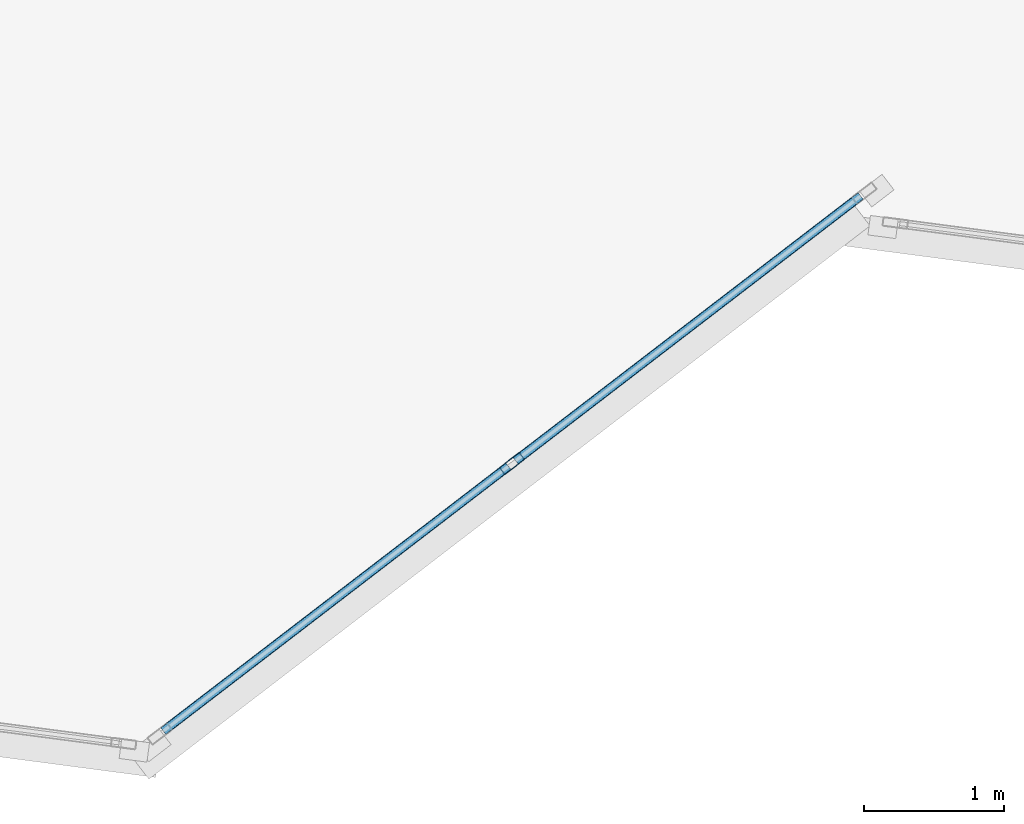
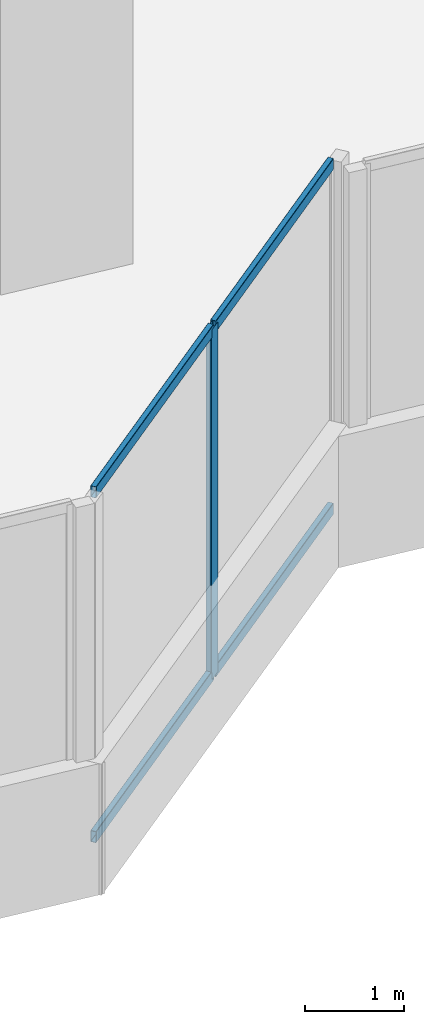
# One storey, part 6 of 24: 5 members, 1 element without a shape of its own.
"""IFC4 building model written with IfcOpenShell, lengths in metres."""

from ifc_helpers import new_model, si_unit, direction, frame, origin, origin_2d, place, context, subcontext, project, spatial, hollow_rectangle, extrude, source, transform, mapped, material, material_profile, profile_set, type_object, element, aggregate, save


model = new_model("IFC4")

# Units and contexts
model_context = context("Model", 3, precision=1e-05, world=origin(), true_north=direction((0.0, 1.0)))
body_context = subcontext(model_context, "Body", "Model", "MODEL_VIEW")
ifc_project = project(units=[si_unit("LENGTHUNIT", "METRE"), si_unit("AREAUNIT", "SQUARE_METRE"), si_unit("VOLUMEUNIT", "CUBIC_METRE"), si_unit("PLANEANGLEUNIT", "RADIAN"), si_unit("MASSUNIT", "GRAM", prefix="KILO")], contexts=[model_context])

# Site, building, storey
site_placement = place(None, origin())
site = spatial("IfcSite", under=ifc_project, at=site_placement, CompositionType="ELEMENT")
building_placement = place(site_placement, origin())
building = spatial("IfcBuilding", under=site, at=building_placement, Name="Torre Montelarca", CompositionType="ELEMENT")
storey_placement = place(building_placement, frame((0.0, 0.0, 61.60009765625)))
storey = spatial("IfcBuildingStorey", under=building, at=storey_placement, Name="L13", CompositionType="ELEMENT", Elevation=61.60009765625)

# Curtain wall, members
ifc_material_1 = material(Name="Insulated low-E laminated glass", Category="glass")
curtain_wall_type = type_object("IfcCurtainWallType", Name="CW-SYS-Z1", PredefinedType="USERDEFINED", material=ifc_material_1)
curtain_wall_placement = place(storey_placement, origin())
curtain_wall = element("IfcCurtainWall", 1, at=curtain_wall_placement, inside=storey, type_object=curtain_wall_type, Name="L13 Curtain Wall Run CW-T3-L13-E02-B1", ObjectType="UNITISED GLAZING", PredefinedType="USERDEFINED")
ifc_material_2 = material(Name="Anodised aluminium AA 6063-T6", Category="aluminium")
ifc_material_profile_1 = material_profile(ifc_material_2, hollow_rectangle(XDim=0.06494140625, YDim=0.139892578125, WallThickness=0.00390625, InnerFilletRadius=0.00390625, OuterFilletRadius=0.008056640625, at=origin_2d()), Name="ALU65X140X4", Category="aluminium")
ifc_profile_set_1 = profile_set([ifc_material_profile_1], Name="Anodised aluminium AA 6063-T6")
member_type_1 = type_object("IfcMemberType", Name="CWT-ALU140", PredefinedType="USERDEFINED", material=ifc_profile_set_1)
shared_shape_1 = source(origin(), body_context, "Body", "SweptSolid", [
    extrude(hollow_rectangle(XDim=0.06494140625, YDim=0.139892578125, WallThickness=0.00390625, InnerFilletRadius=0.00390625, OuterFilletRadius=0.008056640625, at=origin_2d()), origin(), (0.0, 0.0, 1.0), 3.102294921875),
])
member_1_placement = place(storey_placement, frame((32.548095703125, 14.704833984375, 0.032470703125), z_axis=(0.793331423579, 0.608789990359, 0.0), x_axis=(-0.608789990359, 0.793331423579, 0.0)))
member_1 = element("IfcMember", 2, at=member_1_placement, type_object=member_type_1, Name="CW transom 2.1", ObjectType="TRANSOM", PredefinedType="USERDEFINED", context=body_context, shape_type="MappedRepresentation", body=[
    mapped(shared_shape_1, transform((0.0, 0.0, 0.0), scale=1.0)),
])
member_2_placement = place(storey_placement, frame((32.548095703125, 14.704833984375, 4.287353515625), z_axis=(0.793331423579, 0.608789990359, 0.0), x_axis=(-0.608789990359, 0.793331423579, 0.0)))
member_2 = element("IfcMember", 3, at=member_2_placement, type_object=member_type_1, Name="CW transom 2.2", ObjectType="TRANSOM", PredefinedType="USERDEFINED", context=body_context, shape_type="MappedRepresentation", body=[
    mapped(shared_shape_1, transform((0.0, 0.0, 0.0), scale=1.0)),
])
ifc_material_profile_2 = material_profile(ifc_material_2, hollow_rectangle(XDim=0.06494140625, YDim=0.179931640625, WallThickness=0.00390625, InnerFilletRadius=0.00390625, OuterFilletRadius=0.008056640625, at=origin_2d()), Name="ALU65X180X4", Category="aluminium")
ifc_profile_set_2 = profile_set([ifc_material_profile_2], Name="Anodised aluminium AA 6063-T6")
member_type_2 = type_object("IfcMemberType", Name="CWM-ALU180", PredefinedType="MULLION", material=ifc_profile_set_2)
shared_shape_2 = source(origin(), body_context, "Body", "SweptSolid", [
    extrude(hollow_rectangle(XDim=0.06494140625, YDim=0.179931640625, WallThickness=0.00390625, InnerFilletRadius=0.00390625, OuterFilletRadius=0.008056640625, at=origin_2d()), origin(), (0.0, 0.0, 1.0), 4.31982421875),
])
member_3_placement = place(storey_placement, frame((32.522216796875, 14.68505859375, 0.0), z_axis=(0.0, 0.0, 1.0), x_axis=(-0.608756578814, 0.793357061953, 0.0)))
member_3 = element("IfcMember", 4, at=member_3_placement, type_object=member_type_2, Name="CW mullion 2", PredefinedType="MULLION", context=body_context, shape_type="MappedRepresentation", body=[
    mapped(shared_shape_2, transform((0.0, 0.0, 0.0), scale=1.0)),
])
shared_shape_3 = source(origin(), body_context, "Body", "SweptSolid", [
    extrude(hollow_rectangle(XDim=0.06494140625, YDim=0.139892578125, WallThickness=0.00390625, InnerFilletRadius=0.00390625, OuterFilletRadius=0.008056640625, at=origin_2d()), origin(), (0.0, 0.0, 1.0), 3.1025390625),
])
member_4_placement = place(storey_placement, frame((30.03515625, 12.776611328125, 0.032470703125), z_axis=(0.793360587465, 0.608751984192, 0.0), x_axis=(-0.608751984192, 0.793360587465, 0.0)))
member_4 = element("IfcMember", 5, at=member_4_placement, type_object=member_type_1, Name="CW transom 1.1", ObjectType="TRANSOM", PredefinedType="USERDEFINED", context=body_context, shape_type="MappedRepresentation", body=[
    mapped(shared_shape_3, transform((0.0, 0.0, 0.0), scale=1.0)),
])
member_5_placement = place(storey_placement, frame((30.03515625, 12.776611328125, 4.287353515625), z_axis=(0.793360587465, 0.608751984192, 0.0), x_axis=(-0.608751984192, 0.793360587465, 0.0)))
member_5 = element("IfcMember", 6, at=member_5_placement, type_object=member_type_1, Name="CW transom 1.2", ObjectType="TRANSOM", PredefinedType="USERDEFINED", context=body_context, shape_type="MappedRepresentation", body=[
    mapped(shared_shape_3, transform((0.0, 0.0, 0.0), scale=1.0)),
])
aggregate(curtain_wall, [member_3, member_4, member_5, member_1, member_2])

save(model, "model.ifc")
